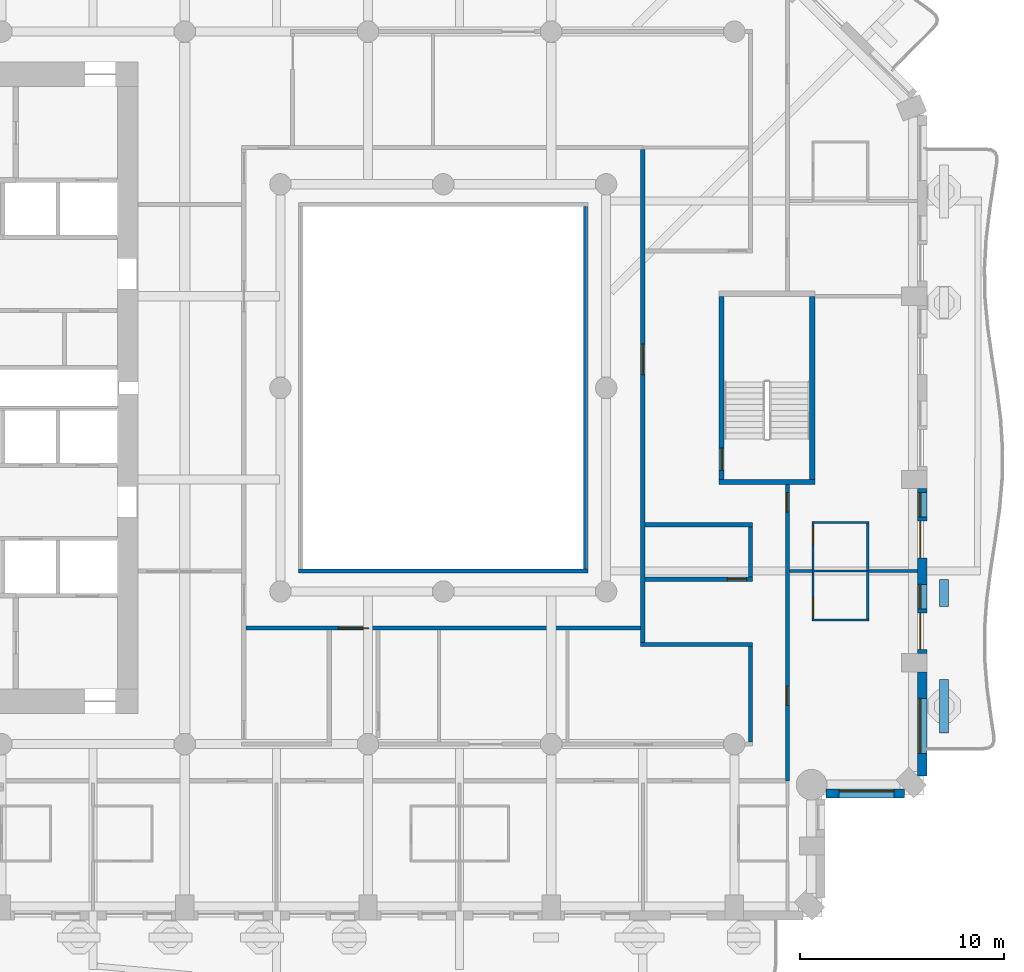
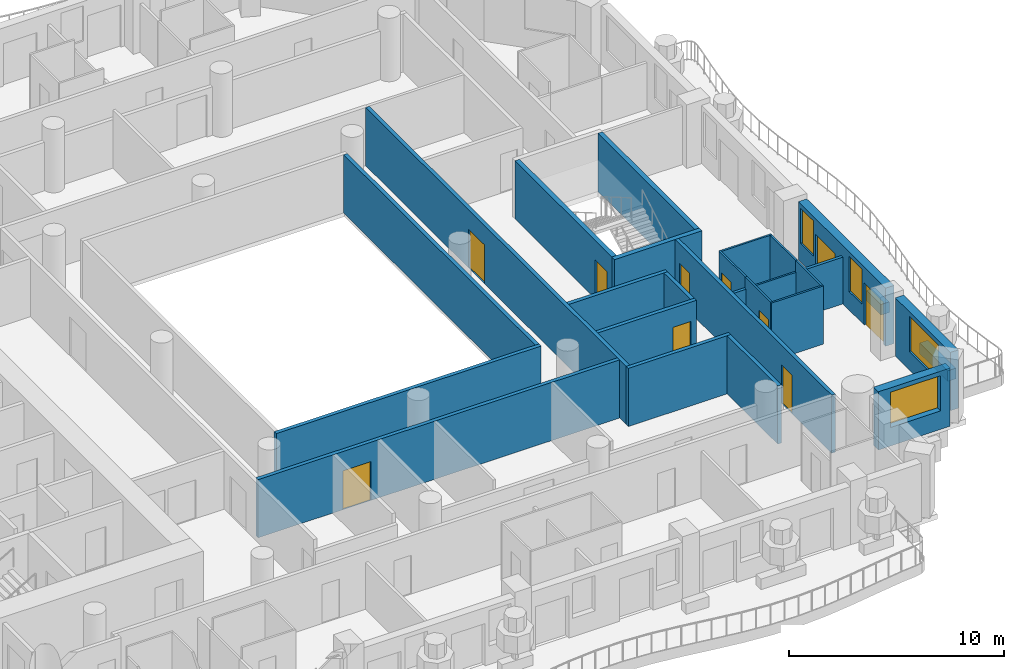
# One storey, part 6 of 20: 27 walls, 10 doors, 4 windows, 14 openings.
"""IFC4 building model written with IfcOpenShell, lengths in metres."""

from ifc_helpers import new_model, si_unit, direction, frame, frame_2d, origin, place, context, subcontext, project, spatial, rectangle, extrude, material, layer, layer_set, type_object, element, fill, save


model = new_model("IFC4")

# Units and contexts
model_context = context("Model", 3, precision=1e-05, world=origin(), true_north=direction((0.0, 1.0)))
body_context = subcontext(model_context, "Body", "Model", "MODEL_VIEW")
ifc_project = project(units=[si_unit("LENGTHUNIT", "METRE"), si_unit("AREAUNIT", "SQUARE_METRE"), si_unit("VOLUMEUNIT", "CUBIC_METRE"), si_unit("PLANEANGLEUNIT", "RADIAN"), si_unit("MASSUNIT", "GRAM", prefix="KILO")], contexts=[model_context])

# Site, building, storey
site_placement = place(None, origin())
site = spatial("IfcSite", under=ifc_project, at=site_placement, CompositionType="ELEMENT")
building_placement = place(site_placement, origin())
building = spatial("IfcBuilding", under=site, at=building_placement, Name="Cypress Arch Tower", CompositionType="ELEMENT")
storey_placement = place(building_placement, frame((0.0, 0.0, 123.89990234375)))
storey = spatial("IfcBuildingStorey", under=building, at=storey_placement, Name="L26", CompositionType="ELEMENT", Elevation=123.89990234375)

# Walls
ifc_material_1 = material(Name="Concrete C40/50, waterproofed", Category="concrete")
ifc_layer_1 = layer(ifc_material_1, 0.449951171875)
ifc_layer_set_1 = layer_set([ifc_layer_1], Name="Balcony planter wall PW450")
wall_type_1 = type_object("IfcWallType", Name="Balcony planter wall PW450", PredefinedType="SOLIDWALL", material=ifc_layer_set_1)
wall_1_placement = place(storey_placement, frame((25.60009765625, -16.949951171875, 0.0), z_axis=(0.0, 0.0, 1.0), x_axis=(0.0, 1.0, 0.0)))
element("IfcWall", 1, at=wall_1_placement, inside=storey, type_object=wall_type_1, Name="Balcony planter wall L26-A06.1", PredefinedType="SOLIDWALL", context=body_context, shape_type="SweptSolid", body=[
    extrude(rectangle(XDim=2.6142578125, YDim=0.449951171875, at=frame_2d((1.30712890625, 0.0))), origin(), (0.0, 0.0, 1.0), 0.60009765625),
])
wall_2_placement = place(storey_placement, frame((25.60009765625, -10.75, 0.0), z_axis=(0.0, 0.0, 1.0), x_axis=(0.0, 1.0, 0.0)))
element("IfcWall", 2, at=wall_2_placement, inside=storey, type_object=wall_type_1, Name="Balcony planter wall L26-A06.2", PredefinedType="SOLIDWALL", context=body_context, shape_type="SweptSolid", body=[
    extrude(rectangle(XDim=1.32861328125, YDim=0.449951171875, at=frame_2d((0.664306640625, 0.0))), origin(), (0.0, 0.0, 1.0), 0.60009765625),
])

# Wall, opening, window
ifc_material_2 = material(Name="Brick (red buff blend)", Category="masonry")
ifc_layer_2 = layer(ifc_material_2, 0.449951171875)
ifc_layer_set_2 = layer_set([ifc_layer_2], Name="Brick pier and spandrel wall BW450")
wall_type_2 = type_object("IfcWallType", Name="Brick pier and spandrel wall BW450", PredefinedType="SOLIDWALL", material=ifc_layer_set_2)
wall_3_placement = place(storey_placement, frame((19.806884765625, -19.925048828125, 0.0), z_axis=(0.0, 0.0, 1.0), x_axis=(1.0, 0.0, 0.0)))
wall_3 = element("IfcWall", 3, at=wall_3_placement, inside=storey, type_object=wall_type_2, Name="Brick wall L26 A05.0", PredefinedType="SOLIDWALL", context=body_context, shape_type="SweptSolid", body=[
    extrude(rectangle(XDim=3.856689453125, YDim=0.449951171875, at=frame_2d((1.92822265625, 0.0))), origin(), (0.0, 0.0, 1.0), 3.300048828125),
])
opening_1_placement = place(wall_3_placement, frame((0.64306640625, 0.0, 1.050048828125)))
opening_1 = element("IfcOpeningElement", 4, at=opening_1_placement, cuts=wall_3, Name="Opening W270H", PredefinedType="OPENING", context=body_context, shape_type="SweptSolid", body=[
    extrude(rectangle(XDim=2.699951171875, YDim=2.0, at=frame_2d((1.35009765625, 1.0))), frame((0.0, 0.23486328125, 0.0), z_axis=(0.0, -1.0, 0.0), x_axis=(1.0, 0.0, 0.0)), (0.0, 0.0, 1.0), 0.469970703125),
])
ifc_material_3 = material(Name="Anodised aluminium, bronze finish, clear low-emissivity double glazing", Category="aluminium")
window_type_1 = type_object("IfcWindowType", Name="Window Hotel 2700x2000", PartitioningType="SINGLE_PANEL", PredefinedType="WINDOW", material=ifc_material_3)
window_1_placement = place(opening_1_placement, origin())
window_1 = element("IfcWindow", 5, at=window_1_placement, inside=storey, type_object=window_type_1, Name="Window L26 A05.0.1", OverallHeight=2.0, OverallWidth=2.699951171875, PartitioningType="SINGLE_PANEL", PredefinedType="WINDOW", context=body_context, shape_type="SweptSolid", body=[
    extrude(rectangle(XDim=2.699951171875, YDim=2.0, at=frame_2d((1.35009765625, 1.0))), frame((0.0, 0.135009765625, 0.0), z_axis=(0.0, -1.0, 0.0), x_axis=(1.0, 0.0, 0.0)), (0.0, 0.0, 1.0), 0.06005859375),
])
fill(opening_1, window_1)

wall_4_placement = place(storey_placement, frame((24.52490234375, -19.063720703125, 0.0), z_axis=(0.0, 0.0, 1.0), x_axis=(0.0, 1.0, 0.0)))
wall_4 = element("IfcWall", 6, at=wall_4_placement, inside=storey, type_object=wall_type_2, Name="Brick wall L26 A06.0", PredefinedType="SOLIDWALL", context=body_context, shape_type="SweptSolid", body=[
    extrude(rectangle(XDim=5.11376953125, YDim=0.449951171875, at=frame_2d((2.556884765625, 0.0))), origin(), (0.0, 0.0, 1.0), 3.300048828125),
])
opening_2_placement = place(wall_4_placement, frame((1.113525390625, 0.0, 1.050048828125)))
opening_2 = element("IfcOpeningElement", 7, at=opening_2_placement, cuts=wall_4, Name="Opening W270HD", PredefinedType="OPENING", context=body_context, shape_type="SweptSolid", body=[
    extrude(rectangle(XDim=2.699951171875, YDim=2.0, at=frame_2d((1.35009765625, 1.0))), frame((0.0, 0.23486328125, 0.0), z_axis=(0.0, -1.0, 0.0), x_axis=(1.0, 0.0, 0.0)), (0.0, 0.0, 1.0), 0.469970703125),
])
ifc_material_4 = material(Name="Anodised aluminium, bronze finish, laminated low-emissivity double glazing, large-missile impact rated", Category="aluminium")
window_type_2 = type_object("IfcWindowType", Name="Window Hotel 2700x2000 debris-rated", PartitioningType="SINGLE_PANEL", PredefinedType="WINDOW", material=ifc_material_4)
window_2_placement = place(opening_2_placement, origin())
window_2 = element("IfcWindow", 8, at=window_2_placement, inside=storey, type_object=window_type_2, Name="Window L26 A06.0.1", OverallHeight=2.0, OverallWidth=2.699951171875, PartitioningType="SINGLE_PANEL", PredefinedType="WINDOW", context=body_context, shape_type="SweptSolid", body=[
    extrude(rectangle(XDim=2.699951171875, YDim=2.0, at=frame_2d((1.35009765625, 1.0))), frame((0.0, 0.135009765625, 0.0), z_axis=(0.0, -1.0, 0.0), x_axis=(1.0, 0.0, 0.0)), (0.0, 0.0, 1.0), 0.06005859375),
])
fill(opening_2, window_2)

# Wall, openings, doors, windows
wall_5_placement = place(storey_placement, frame((24.52490234375, -13.050048828125, 0.0), z_axis=(0.0, 0.0, 1.0), x_axis=(0.0, 1.0, 0.0)))
wall_5 = element("IfcWall", 9, at=wall_5_placement, inside=storey, type_object=wall_type_2, Name="Brick wall L26 A06.1", PredefinedType="SOLIDWALL", context=body_context, shape_type="SweptSolid", body=[
    extrude(rectangle(XDim=8.10009765625, YDim=0.449951171875, at=frame_2d((4.050048828125, 0.0))), origin(), (0.0, 0.0, 1.0), 3.300048828125),
])
opening_3_placement = place(wall_5_placement, frame((0.199951171875, 0.0, 0.0)))
opening_3 = element("IfcOpeningElement", 10, at=opening_3_placement, cuts=wall_5, Name="Opening D-L26-A06.1.1", PredefinedType="OPENING", context=body_context, shape_type="SweptSolid", body=[
    extrude(rectangle(XDim=1.800048828125, YDim=2.39990234375, at=frame_2d((0.89990234375, 1.199951171875))), frame((0.0, 0.23486328125, 0.0), z_axis=(0.0, -1.0, 0.0), x_axis=(1.0, 0.0, 0.0)), (0.0, 0.0, 1.0), 0.469970703125),
])
opening_4_placement = place(wall_5_placement, frame((2.199951171875, 0.0, 1.050048828125)))
opening_4 = element("IfcOpeningElement", 11, at=opening_4_placement, cuts=wall_5, Name="Opening W120HD", PredefinedType="OPENING", context=body_context, shape_type="SweptSolid", body=[
    extrude(rectangle(XDim=1.199951171875, YDim=2.0, at=frame_2d((0.60009765625, 1.0))), frame((0.0, 0.23486328125, 0.0), z_axis=(0.0, -1.0, 0.0), x_axis=(1.0, 0.0, 0.0)), (0.0, 0.0, 1.0), 0.469970703125),
])
opening_5_placement = place(wall_5_placement, frame((4.699951171875, 0.0, 0.0)))
opening_5 = element("IfcOpeningElement", 12, at=opening_5_placement, cuts=wall_5, Name="Opening D-L26-A06.1.2", PredefinedType="OPENING", context=body_context, shape_type="SweptSolid", body=[
    extrude(rectangle(XDim=1.800048828125, YDim=2.39990234375, at=frame_2d((0.89990234375, 1.199951171875))), frame((0.0, 0.23486328125, 0.0), z_axis=(0.0, -1.0, 0.0), x_axis=(1.0, 0.0, 0.0)), (0.0, 0.0, 1.0), 0.469970703125),
])
opening_6_placement = place(wall_5_placement, frame((6.699951171875, 0.0, 1.050048828125)))
opening_6 = element("IfcOpeningElement", 13, at=opening_6_placement, cuts=wall_5, Name="Opening W120HD", PredefinedType="OPENING", context=body_context, shape_type="SweptSolid", body=[
    extrude(rectangle(XDim=1.199951171875, YDim=2.0, at=frame_2d((0.60009765625, 1.0))), frame((0.0, 0.23486328125, 0.0), z_axis=(0.0, -1.0, 0.0), x_axis=(1.0, 0.0, 0.0)), (0.0, 0.0, 1.0), 0.469970703125),
])
ifc_material_5 = material(Name="Anodised aluminium, bronze finish, laminated low-emissivity double glazing, large-missile impact rated", Category="aluminium")
door_type_1 = type_object("IfcDoorType", Name="Balcony sliding door 1800x2400", OperationType="SLIDING_TO_LEFT", PredefinedType="DOOR", material=ifc_material_5)
door_1_placement = place(opening_3_placement, origin())
door_1 = element("IfcDoor", 14, at=door_1_placement, inside=storey, type_object=door_type_1, Name="Balcony door L26 A06.1.1", OperationType="SLIDING_TO_LEFT", OverallHeight=2.39990234375, OverallWidth=1.800048828125, PredefinedType="DOOR", context=body_context, shape_type="SweptSolid", body=[
    extrude(rectangle(XDim=1.800048828125, YDim=2.39990234375, at=frame_2d((0.89990234375, 1.199951171875))), frame((0.0, 0.1298828125, 0.0), z_axis=(0.0, -1.0, 0.0), x_axis=(1.0, 0.0, 0.0)), (0.0, 0.0, 1.0), 0.050048828125),
])
fill(opening_3, door_1)
door_2_placement = place(opening_5_placement, origin())
door_2 = element("IfcDoor", 15, at=door_2_placement, inside=storey, type_object=door_type_1, Name="Balcony door L26 A06.1.2", OperationType="SLIDING_TO_LEFT", OverallHeight=2.39990234375, OverallWidth=1.800048828125, PredefinedType="DOOR", context=body_context, shape_type="SweptSolid", body=[
    extrude(rectangle(XDim=1.800048828125, YDim=2.39990234375, at=frame_2d((0.89990234375, 1.199951171875))), frame((0.0, 0.1298828125, 0.0), z_axis=(0.0, -1.0, 0.0), x_axis=(1.0, 0.0, 0.0)), (0.0, 0.0, 1.0), 0.050048828125),
])
fill(opening_5, door_2)
ifc_material_6 = material(Name="Anodised aluminium, bronze finish, laminated low-emissivity double glazing, large-missile impact rated", Category="aluminium")
window_type_3 = type_object("IfcWindowType", Name="Window Hotel 1200x2000 debris-rated", PartitioningType="SINGLE_PANEL", PredefinedType="WINDOW", material=ifc_material_6)
window_3_placement = place(opening_4_placement, origin())
window_3 = element("IfcWindow", 16, at=window_3_placement, inside=storey, type_object=window_type_3, Name="Window L26 A06.1.1", OverallHeight=2.0, OverallWidth=1.199951171875, PartitioningType="SINGLE_PANEL", PredefinedType="WINDOW", context=body_context, shape_type="SweptSolid", body=[
    extrude(rectangle(XDim=1.199951171875, YDim=2.0, at=frame_2d((0.60009765625, 1.0))), frame((0.0, 0.135009765625, 0.0), z_axis=(0.0, -1.0, 0.0), x_axis=(1.0, 0.0, 0.0)), (0.0, 0.0, 1.0), 0.06005859375),
])
fill(opening_4, window_3)
window_4_placement = place(opening_6_placement, origin())
window_4 = element("IfcWindow", 17, at=window_4_placement, inside=storey, type_object=window_type_3, Name="Window L26 A06.1.2", OverallHeight=2.0, OverallWidth=1.199951171875, PartitioningType="SINGLE_PANEL", PredefinedType="WINDOW", context=body_context, shape_type="SweptSolid", body=[
    extrude(rectangle(XDim=1.199951171875, YDim=2.0, at=frame_2d((0.60009765625, 1.0))), frame((0.0, 0.135009765625, 0.0), z_axis=(0.0, -1.0, 0.0), x_axis=(1.0, 0.0, 0.0)), (0.0, 0.0, 1.0), 0.06005859375),
])
fill(opening_6, window_4)

# Wall, opening, door
ifc_material_7 = material(Name="Concrete blockwork, plastered, rated", Category="masonry")
ifc_layer_3 = layer(ifc_material_7, 0.199951171875)
ifc_layer_set_3 = layer_set([ifc_layer_3], Name="Corridor wall FW200")
wall_type_3 = type_object("IfcWallType", Name="Corridor wall FW200", PredefinedType="PARTITIONING", material=ifc_layer_set_3)
wall_6_placement = place(storey_placement, frame((-8.699951171875, -11.800048828125, 0.0), z_axis=(0.0, 0.0, 1.0), x_axis=(1.0, 0.0, 0.0)))
wall_6 = element("IfcWall", 18, at=wall_6_placement, inside=storey, type_object=wall_type_3, Name="Corridor wall", PredefinedType="PARTITIONING", context=body_context, shape_type="SweptSolid", body=[
    extrude(rectangle(XDim=19.39990234375, YDim=0.199951171875, at=frame_2d((9.699951171875, 0.0))), origin(), (0.0, 0.0, 1.0), 3.300048828125),
])
opening_7_placement = place(wall_6_placement, frame((4.550048828125, 0.0, 0.0)))
opening_7 = element("IfcOpeningElement", 19, at=opening_7_placement, cuts=wall_6, Name="Opening D04", PredefinedType="OPENING", context=body_context, shape_type="SweptSolid", body=[
    extrude(rectangle(XDim=1.5, YDim=2.199951171875, at=frame_2d((0.75, 1.10009765625))), frame((0.0, 0.10986328125, 0.0), z_axis=(0.0, -1.0, 0.0), x_axis=(1.0, 0.0, 0.0)), (0.0, 0.0, 1.0), 0.219970703125),
])
ifc_material_8 = material(Name="Timber double door", Category="wood")
door_type_2 = type_object("IfcDoorType", Name="Double door D04 1500x2200", OperationType="DOUBLE_DOOR_SINGLE_SWING", PredefinedType="DOOR", material=ifc_material_8)
door_3_placement = place(opening_7_placement, origin())
door_3 = element("IfcDoor", 20, at=door_3_placement, inside=storey, type_object=door_type_2, Name="Double door", OperationType="DOUBLE_DOOR_SINGLE_SWING", OverallHeight=2.199951171875, OverallWidth=1.5, PredefinedType="DOOR", context=body_context, shape_type="SweptSolid", body=[
    extrude(rectangle(XDim=1.5, YDim=2.199951171875, at=frame_2d((0.75, 1.10009765625))), frame((0.0, 0.02490234375, 0.0), z_axis=(0.0, -1.0, 0.0), x_axis=(1.0, 0.0, 0.0)), (0.0, 0.0, 1.0), 0.050048828125),
])
fill(opening_7, door_3)

# Walls
wall_7_placement = place(storey_placement, frame((-6.10009765625, -9.0, 0.0), z_axis=(0.0, 0.0, 1.0), x_axis=(1.0, 0.0, 0.0)))
element("IfcWall", 21, at=wall_7_placement, inside=storey, type_object=wall_type_3, Name="Corridor wall", PredefinedType="PARTITIONING", context=body_context, shape_type="SweptSolid", body=[
    extrude(rectangle(XDim=14.2001953125, YDim=0.199951171875, at=frame_2d((7.10009765625, 0.0))), origin(), (0.0, 0.0, 1.0), 3.300048828125),
])
wall_8_placement = place(storey_placement, frame((8.0, -8.89990234375, 0.0), z_axis=(0.0, 0.0, 1.0), x_axis=(0.0, 1.0, 0.0)))
element("IfcWall", 22, at=wall_8_placement, inside=storey, type_object=wall_type_3, Name="Corridor wall", PredefinedType="PARTITIONING", context=body_context, shape_type="SweptSolid", body=[
    extrude(rectangle(XDim=17.7998046875, YDim=0.199951171875, at=frame_2d((8.89990234375, 0.0))), origin(), (0.0, 0.0, 1.0), 3.300048828125),
])

# Wall, opening, door
wall_9_placement = place(storey_placement, frame((10.799072265625, -12.5, 0.0), z_axis=(0.0, 0.0, 1.0), x_axis=(0.0, 1.0, 0.0)))
wall_9 = element("IfcWall", 23, at=wall_9_placement, inside=storey, type_object=wall_type_3, Name="Corridor wall", PredefinedType="PARTITIONING", context=body_context, shape_type="SweptSolid", body=[
    extrude(rectangle(XDim=24.199951171875, YDim=0.199951171875, at=frame_2d((12.10009765625, 0.0))), origin(), (0.0, 0.0, 1.0), 3.300048828125),
])
opening_8_placement = place(wall_9_placement, frame((13.14990234375, 0.0, 0.0)))
opening_8 = element("IfcOpeningElement", 24, at=opening_8_placement, cuts=wall_9, Name="Opening D04", PredefinedType="OPENING", context=body_context, shape_type="SweptSolid", body=[
    extrude(rectangle(XDim=1.5, YDim=2.199951171875, at=frame_2d((0.75, 1.10009765625))), frame((0.0, 0.10986328125, 0.0), z_axis=(0.0, -1.0, 0.0), x_axis=(1.0, 0.0, 0.0)), (0.0, 0.0, 1.0), 0.219970703125),
])
door_4_placement = place(opening_8_placement, origin())
door_4 = element("IfcDoor", 25, at=door_4_placement, inside=storey, type_object=door_type_2, Name="Double door", OperationType="DOUBLE_DOOR_SINGLE_SWING", OverallHeight=2.199951171875, OverallWidth=1.5, PredefinedType="DOOR", context=body_context, shape_type="SweptSolid", body=[
    extrude(rectangle(XDim=1.5, YDim=2.199951171875, at=frame_2d((0.75, 1.10009765625))), frame((0.0, 0.02490234375, 0.0), z_axis=(0.0, -1.0, 0.0), x_axis=(1.0, 0.0, 0.0)), (0.0, 0.0, 1.0), 0.050048828125),
])
fill(opening_8, door_4)

# Wall
wall_10_placement = place(storey_placement, frame((10.698974609375, -12.60009765625, 0.0), z_axis=(0.0, 0.0, 1.0), x_axis=(1.0, 0.0, 0.0)))
element("IfcWall", 26, at=wall_10_placement, inside=storey, type_object=wall_type_3, Name="Corridor wall", PredefinedType="PARTITIONING", context=body_context, shape_type="SweptSolid", body=[
    extrude(rectangle(XDim=5.5009765625, YDim=0.199951171875, at=frame_2d((2.75048828125, 0.0))), origin(), (0.0, 0.0, 1.0), 3.300048828125),
])

# Wall, opening, door
wall_11_placement = place(storey_placement, frame((10.89990234375, -9.39990234375, 0.0), z_axis=(0.0, 0.0, 1.0), x_axis=(1.0, 0.0, 0.0)))
wall_11 = element("IfcWall", 27, at=wall_11_placement, inside=storey, type_object=wall_type_3, Name="Corridor wall", PredefinedType="PARTITIONING", context=body_context, shape_type="SweptSolid", body=[
    extrude(rectangle(XDim=5.300048828125, YDim=0.199951171875, at=frame_2d((2.64990234375, 0.0))), origin(), (0.0, 0.0, 1.0), 3.300048828125),
])
opening_9_placement = place(wall_11_placement, frame((4.050048828125, 0.0, 0.0)))
opening_9 = element("IfcOpeningElement", 28, at=opening_9_placement, cuts=wall_11, Name="Opening D02", PredefinedType="OPENING", context=body_context, shape_type="SweptSolid", body=[
    extrude(rectangle(XDim=0.949951171875, YDim=2.199951171875, at=frame_2d((0.47509765625, 1.10009765625))), frame((0.0, 0.10986328125, 0.0), z_axis=(0.0, -1.0, 0.0), x_axis=(1.0, 0.0, 0.0)), (0.0, 0.0, 1.0), 0.219970703125),
])
ifc_material_9 = material(Name="Timber flush door, fire resisting", Category="wood")
door_type_3 = type_object("IfcDoorType", Name="Room door D02 950x2200", OperationType="SINGLE_SWING_LEFT", PredefinedType="DOOR", material=ifc_material_9)
door_5_placement = place(opening_9_placement, origin())
door_5 = element("IfcDoor", 29, at=door_5_placement, inside=storey, type_object=door_type_3, Name="Room door", OperationType="SINGLE_SWING_RIGHT", OverallHeight=2.199951171875, OverallWidth=0.949951171875, PredefinedType="DOOR", context=body_context, shape_type="SweptSolid", body=[
    extrude(rectangle(XDim=0.949951171875, YDim=2.199951171875, at=frame_2d((0.47509765625, 1.10009765625))), frame((0.0, 0.02490234375, 0.0), z_axis=(0.0, -1.0, 0.0), x_axis=(1.0, 0.0, 0.0)), (0.0, 0.0, 1.0), 0.050048828125),
])
fill(opening_9, door_5)

# Walls
wall_12_placement = place(storey_placement, frame((10.89990234375, -6.72509765625, 0.0), z_axis=(0.0, 0.0, 1.0), x_axis=(1.0, 0.0, 0.0)))
element("IfcWall", 30, at=wall_12_placement, inside=storey, type_object=wall_type_3, Name="Corridor wall", PredefinedType="PARTITIONING", context=body_context, shape_type="SweptSolid", body=[
    extrude(rectangle(XDim=5.300048828125, YDim=0.199951171875, at=frame_2d((2.64990234375, 0.0))), origin(), (0.0, 0.0, 1.0), 3.300048828125),
])
wall_13_placement = place(storey_placement, frame((16.10009765625, -17.39990234375, 0.0), z_axis=(0.0, 0.0, 1.0), x_axis=(0.0, 1.0, 0.0)))
element("IfcWall", 31, at=wall_13_placement, inside=storey, type_object=wall_type_3, Name="Corridor wall", PredefinedType="PARTITIONING", context=body_context, shape_type="SweptSolid", body=[
    extrude(rectangle(XDim=4.699951171875, YDim=0.199951171875, at=frame_2d((2.35009765625, 0.0))), origin(), (0.0, 0.0, 1.0), 3.300048828125),
])
wall_14_placement = place(storey_placement, frame((16.10009765625, -9.300048828125, 0.0), z_axis=(0.0, 0.0, 1.0), x_axis=(0.0, 1.0, 0.0)))
element("IfcWall", 32, at=wall_14_placement, inside=storey, type_object=wall_type_3, Name="Corridor wall", PredefinedType="PARTITIONING", context=body_context, shape_type="SweptSolid", body=[
    extrude(rectangle(XDim=2.47509765625, YDim=0.199951171875, at=frame_2d((1.237548828125, 0.0))), origin(), (0.0, 0.0, 1.0), 3.300048828125),
])

# Wall, openings, doors
wall_15_placement = place(storey_placement, frame((17.89990234375, -19.300048828125, 0.0), z_axis=(0.0, 0.0, 1.0), x_axis=(0.0, 1.0, 0.0)))
wall_15 = element("IfcWall", 33, at=wall_15_placement, inside=storey, type_object=wall_type_3, Name="Corridor wall", PredefinedType="PARTITIONING", context=body_context, shape_type="SweptSolid", body=[
    extrude(rectangle(XDim=14.550048828125, YDim=0.199951171875, at=frame_2d((7.27490234375, 0.0))), origin(), (0.0, 0.0, 1.0), 3.300048828125),
])
opening_10_placement = place(wall_15_placement, frame((3.699951171875, 0.0, 0.0)))
opening_10 = element("IfcOpeningElement", 34, at=opening_10_placement, cuts=wall_15, Name="Opening D02", PredefinedType="OPENING", context=body_context, shape_type="SweptSolid", body=[
    extrude(rectangle(XDim=0.949951171875, YDim=2.199951171875, at=frame_2d((0.47509765625, 1.10009765625))), frame((0.0, 0.10986328125, 0.0), z_axis=(0.0, -1.0, 0.0), x_axis=(1.0, 0.0, 0.0)), (0.0, 0.0, 1.0), 0.219970703125),
])
opening_11_placement = place(wall_15_placement, frame((13.199951171875, 0.0, 0.0)))
opening_11 = element("IfcOpeningElement", 35, at=opening_11_placement, cuts=wall_15, Name="Opening D02", PredefinedType="OPENING", context=body_context, shape_type="SweptSolid", body=[
    extrude(rectangle(XDim=0.949951171875, YDim=2.199951171875, at=frame_2d((0.47509765625, 1.10009765625))), frame((0.0, 0.10986328125, 0.0), z_axis=(0.0, -1.0, 0.0), x_axis=(1.0, 0.0, 0.0)), (0.0, 0.0, 1.0), 0.219970703125),
])
door_6_placement = place(opening_10_placement, origin())
door_6 = element("IfcDoor", 36, at=door_6_placement, inside=storey, type_object=door_type_3, Name="Room door", OperationType="SINGLE_SWING_RIGHT", OverallHeight=2.199951171875, OverallWidth=0.949951171875, PredefinedType="DOOR", context=body_context, shape_type="SweptSolid", body=[
    extrude(rectangle(XDim=0.949951171875, YDim=2.199951171875, at=frame_2d((0.47509765625, 1.10009765625))), frame((0.0, 0.02490234375, 0.0), z_axis=(0.0, -1.0, 0.0), x_axis=(1.0, 0.0, 0.0)), (0.0, 0.0, 1.0), 0.050048828125),
])
fill(opening_10, door_6)
door_7_placement = place(opening_11_placement, origin())
door_7 = element("IfcDoor", 37, at=door_7_placement, inside=storey, type_object=door_type_3, Name="Room door", OperationType="SINGLE_SWING_LEFT", OverallHeight=2.199951171875, OverallWidth=0.949951171875, PredefinedType="DOOR", context=body_context, shape_type="SweptSolid", body=[
    extrude(rectangle(XDim=0.949951171875, YDim=2.199951171875, at=frame_2d((0.47509765625, 1.10009765625))), frame((0.0, 0.02490234375, 0.0), z_axis=(0.0, -1.0, 0.0), x_axis=(1.0, 0.0, 0.0)), (0.0, 0.0, 1.0), 0.050048828125),
])
fill(opening_11, door_7)

# Walls
ifc_material_10 = material(Name="Blockwork, plastered both sides", Category="masonry")
ifc_layer_4 = layer(ifc_material_10, 0.14990234375)
ifc_layer_set_4 = layer_set([ifc_layer_4], Name="Partition PW150")
wall_type_4 = type_object("IfcWallType", Name="Partition PW150", PredefinedType="PARTITIONING", material=ifc_layer_set_4)
wall_16_placement = place(storey_placement, frame((18.0, -9.0, 0.0), z_axis=(0.0, 0.0, 1.0), x_axis=(1.0, 0.0, 0.0)))
element("IfcWall", 38, at=wall_16_placement, inside=storey, type_object=wall_type_4, Name="Partition", PredefinedType="PARTITIONING", context=body_context, shape_type="SweptSolid", body=[
    extrude(rectangle(XDim=1.1298828125, YDim=0.14990234375, at=frame_2d((0.56494140625, 0.0))), origin(), (0.0, 0.0, 1.0), 2.650146484375),
])
wall_17_placement = place(storey_placement, frame((21.8701171875, -9.0, 0.0), z_axis=(0.0, 0.0, 1.0), x_axis=(1.0, 0.0, 0.0)))
element("IfcWall", 39, at=wall_17_placement, inside=storey, type_object=wall_type_4, Name="Partition", PredefinedType="PARTITIONING", context=body_context, shape_type="SweptSolid", body=[
    extrude(rectangle(XDim=2.429931640625, YDim=0.14990234375, at=frame_2d((1.21484375, 0.0))), origin(), (0.0, 0.0, 1.0), 2.650146484375),
])

# Wall, opening, door
ifc_material_11 = material(Name="Concrete C50/60", Category="concrete")
ifc_layer_5 = layer(ifc_material_11, 0.25)
ifc_layer_set_5 = layer_set([ifc_layer_5], Name="Stair enclosure wall SW250")
wall_type_5 = type_object("IfcWallType", Name="Stair enclosure wall SW250", PredefinedType="SHEAR", material=ifc_layer_set_5)
wall_18_placement = place(storey_placement, frame((14.675048828125, -4.5, 0.0), z_axis=(0.0, 0.0, 1.0), x_axis=(0.0, 1.0, 0.0)))
wall_18 = element("IfcWall", 40, at=wall_18_placement, inside=storey, type_object=wall_type_5, Name="Stair enclosure wall", PredefinedType="SHEAR", context=body_context, shape_type="SweptSolid", body=[
    extrude(rectangle(XDim=9.0, YDim=0.25, at=frame_2d((4.5, 0.0))), origin(), (0.0, 0.0, 1.0), 3.300048828125),
])
opening_12_placement = place(wall_18_placement, frame((0.449951171875, 0.0, 0.0)))
opening_12 = element("IfcOpeningElement", 41, at=opening_12_placement, cuts=wall_18, Name="Opening D06", PredefinedType="OPENING", context=body_context, shape_type="SweptSolid", body=[
    extrude(rectangle(XDim=1.10009765625, YDim=2.199951171875, at=frame_2d((0.550048828125, 1.10009765625))), frame((0.0, 0.135009765625, 0.0), z_axis=(0.0, -1.0, 0.0), x_axis=(1.0, 0.0, 0.0)), (0.0, 0.0, 1.0), 0.27001953125),
])
ifc_material_12 = material(Name="Steel door, fire resisting, panic bar", Category="steel")
door_type_4 = type_object("IfcDoorType", Name="Stair door D06 1100x2200", OperationType="SINGLE_SWING_LEFT", PredefinedType="DOOR", material=ifc_material_12)
door_8_placement = place(opening_12_placement, origin())
door_8 = element("IfcDoor", 42, at=door_8_placement, inside=storey, type_object=door_type_4, Name="Stair door", OperationType="SINGLE_SWING_RIGHT", OverallHeight=2.199951171875, OverallWidth=1.10009765625, PredefinedType="DOOR", context=body_context, shape_type="SweptSolid", body=[
    extrude(rectangle(XDim=1.10009765625, YDim=2.199951171875, at=frame_2d((0.550048828125, 1.10009765625))), frame((0.0, 0.02490234375, 0.0), z_axis=(0.0, -1.0, 0.0), x_axis=(1.0, 0.0, 0.0)), (0.0, 0.0, 1.0), 0.050048828125),
])
fill(opening_12, door_8)

# Walls
wall_19_placement = place(storey_placement, frame((14.550048828125, -4.625, 0.0), z_axis=(0.0, 0.0, 1.0), x_axis=(1.0, 0.0, 0.0)))
element("IfcWall", 43, at=wall_19_placement, inside=storey, type_object=wall_type_5, Name="Stair enclosure wall", PredefinedType="SHEAR", context=body_context, shape_type="SweptSolid", body=[
    extrude(rectangle(XDim=4.699951171875, YDim=0.25, at=frame_2d((2.35009765625, 0.0))), origin(), (0.0, 0.0, 1.0), 3.300048828125),
])
wall_20_placement = place(storey_placement, frame((19.125, -4.5, 0.0), z_axis=(0.0, 0.0, 1.0), x_axis=(0.0, 1.0, 0.0)))
element("IfcWall", 44, at=wall_20_placement, inside=storey, type_object=wall_type_5, Name="Stair enclosure wall", PredefinedType="SHEAR", context=body_context, shape_type="SweptSolid", body=[
    extrude(rectangle(XDim=9.0, YDim=0.25, at=frame_2d((4.5, 0.0))), origin(), (0.0, 0.0, 1.0), 3.300048828125),
])
ifc_material_13 = material(Name="Moisture resistant board on steel studs, tiled", Category="steel")
ifc_layer_6 = layer(ifc_material_13, 0.10009765625)
ifc_layer_set_6 = layer_set([ifc_layer_6], Name="Wet wall PW100")
wall_type_6 = type_object("IfcWallType", Name="Wet wall PW100", PredefinedType="PARTITIONING", material=ifc_layer_set_6)
wall_21_placement = place(storey_placement, frame((19.1298828125, -9.0, 0.0), z_axis=(0.0, 0.0, 1.0), x_axis=(1.0, 0.0, 0.0)))
element("IfcWall", 45, at=wall_21_placement, inside=storey, type_object=wall_type_6, Name="Wet wall", PredefinedType="PARTITIONING", context=body_context, shape_type="SweptSolid", body=[
    extrude(rectangle(XDim=2.740234375, YDim=0.10009765625, at=frame_2d((1.3701171875, 0.0))), origin(), (0.0, 0.0, 1.0), 2.650146484375),
])

# Wall, opening, door
wall_22_placement = place(storey_placement, frame((19.14990234375, -11.345947265625, 0.0), z_axis=(0.0, 0.0, 1.0), x_axis=(0.0, 1.0, 0.0)))
wall_22 = element("IfcWall", 46, at=wall_22_placement, inside=storey, type_object=wall_type_6, Name="Wet wall", PredefinedType="PARTITIONING", context=body_context, shape_type="SweptSolid", body=[
    extrude(rectangle(XDim=2.345947265625, YDim=0.10009765625, at=frame_2d((1.1728515625, 0.0))), origin(), (0.0, 0.0, 1.0), 3.300048828125),
])
opening_13_placement = place(wall_22_placement, frame((0.14990234375, 0.0, 0.0)))
opening_13 = element("IfcOpeningElement", 47, at=opening_13_placement, cuts=wall_22, Name="Opening D03", PredefinedType="OPENING", context=body_context, shape_type="SweptSolid", body=[
    extrude(rectangle(XDim=0.89990234375, YDim=2.199951171875, at=frame_2d((0.449951171875, 1.10009765625))), frame((0.0, 0.06005859375, 0.0), z_axis=(0.0, -1.0, 0.0), x_axis=(1.0, 0.0, 0.0)), (0.0, 0.0, 1.0), 0.1201171875),
])
ifc_material_14 = material(Name="Timber flush door, moisture resistant", Category="wood")
door_type_5 = type_object("IfcDoorType", Name="Bathroom door D03 900x2200", OperationType="SINGLE_SWING_LEFT", PredefinedType="DOOR", material=ifc_material_14)
door_9_placement = place(opening_13_placement, origin())
door_9 = element("IfcDoor", 48, at=door_9_placement, inside=storey, type_object=door_type_5, Name="Bathroom door", OperationType="SINGLE_SWING_RIGHT", OverallHeight=2.199951171875, OverallWidth=0.89990234375, PredefinedType="DOOR", context=body_context, shape_type="SweptSolid", body=[
    extrude(rectangle(XDim=0.89990234375, YDim=2.199951171875, at=frame_2d((0.449951171875, 1.10009765625))), frame((0.0, 0.02490234375, 0.0), z_axis=(0.0, -1.0, 0.0), x_axis=(1.0, 0.0, 0.0)), (0.0, 0.0, 1.0), 0.050048828125),
])
fill(opening_13, door_9)

# Wall
wall_23_placement = place(storey_placement, frame((19.10009765625, -11.39599609375, 0.0), z_axis=(0.0, 0.0, 1.0), x_axis=(1.0, 0.0, 0.0)))
element("IfcWall", 49, at=wall_23_placement, inside=storey, type_object=wall_type_6, Name="Wet wall", PredefinedType="PARTITIONING", context=body_context, shape_type="SweptSolid", body=[
    extrude(rectangle(XDim=2.7998046875, YDim=0.10009765625, at=frame_2d((1.39990234375, 0.0))), origin(), (0.0, 0.0, 1.0), 3.300048828125),
])

# Wall, opening, door
wall_24_placement = place(storey_placement, frame((19.14990234375, -9.0, 0.0), z_axis=(0.0, 0.0, 1.0), x_axis=(0.000499051739, 0.999999875474, 0.0)))
wall_24 = element("IfcWall", 50, at=wall_24_placement, inside=storey, type_object=wall_type_6, Name="Wet wall", PredefinedType="PARTITIONING", context=body_context, shape_type="SweptSolid", body=[
    extrude(rectangle(XDim=2.446044921875, YDim=0.10009765625, at=frame_2d((1.22314453125, 0.0))), origin(), (0.0, 0.0, 1.0), 3.300048828125),
])
opening_14_placement = place(wall_24_placement, frame((1.300048828125, 0.0, 0.0)))
opening_14 = element("IfcOpeningElement", 51, at=opening_14_placement, cuts=wall_24, Name="Opening D03", PredefinedType="OPENING", context=body_context, shape_type="SweptSolid", body=[
    extrude(rectangle(XDim=0.89990234375, YDim=2.199951171875, at=frame_2d((0.449951171875, 1.10009765625))), frame((0.0, 0.06005859375, 0.0), z_axis=(0.0, -1.0, 0.0), x_axis=(1.0, 0.0, 0.0)), (0.0, 0.0, 1.0), 0.1201171875),
])
door_10_placement = place(opening_14_placement, origin())
door_10 = element("IfcDoor", 52, at=door_10_placement, inside=storey, type_object=door_type_5, Name="Bathroom door", OperationType="SINGLE_SWING_LEFT", OverallHeight=2.199951171875, OverallWidth=0.89990234375, PredefinedType="DOOR", context=body_context, shape_type="SweptSolid", body=[
    extrude(rectangle(XDim=0.89990234375, YDim=2.199951171875, at=frame_2d((0.449951171875, 1.10009765625))), frame((0.0, 0.02490234375, 0.0), z_axis=(0.0, -1.0, 0.0), x_axis=(1.0, 0.0, 0.0)), (0.0, 0.0, 1.0), 0.050048828125),
])
fill(opening_14, door_10)

# Walls
wall_25_placement = place(storey_placement, frame((19.200927734375, -6.60400390625, 0.0), z_axis=(0.0, 0.0, 1.0), x_axis=(0.999999934588, -0.000361696332, 0.0)))
element("IfcWall", 53, at=wall_25_placement, inside=storey, type_object=wall_type_6, Name="Wet wall", PredefinedType="PARTITIONING", context=body_context, shape_type="SweptSolid", body=[
    extrude(rectangle(XDim=2.699951171875, YDim=0.10009765625, at=frame_2d((1.35009765625, 0.0))), origin(), (0.0, 0.0, 1.0), 3.300048828125),
])
wall_26_placement = place(storey_placement, frame((21.85009765625, -11.345947265625, 0.0), z_axis=(0.0, 0.0, 1.0), x_axis=(0.0, 1.0, 0.0)))
element("IfcWall", 54, at=wall_26_placement, inside=storey, type_object=wall_type_6, Name="Wet wall", PredefinedType="PARTITIONING", context=body_context, shape_type="SweptSolid", body=[
    extrude(rectangle(XDim=2.345947265625, YDim=0.10009765625, at=frame_2d((1.1728515625, 0.0))), origin(), (0.0, 0.0, 1.0), 3.300048828125),
])
wall_27_placement = place(storey_placement, frame((21.85009765625, -9.0, 0.0), z_axis=(0.0, 0.0, 1.0), x_axis=(0.00041644973, 0.999999913285, 0.0)))
element("IfcWall", 55, at=wall_27_placement, inside=storey, type_object=wall_type_6, Name="Wet wall", PredefinedType="PARTITIONING", context=body_context, shape_type="SweptSolid", body=[
    extrude(rectangle(XDim=2.344970703125, YDim=0.10009765625, at=frame_2d((1.17236328125, 0.0))), origin(), (0.0, 0.0, 1.0), 3.300048828125),
])

save(model, "model.ifc")
